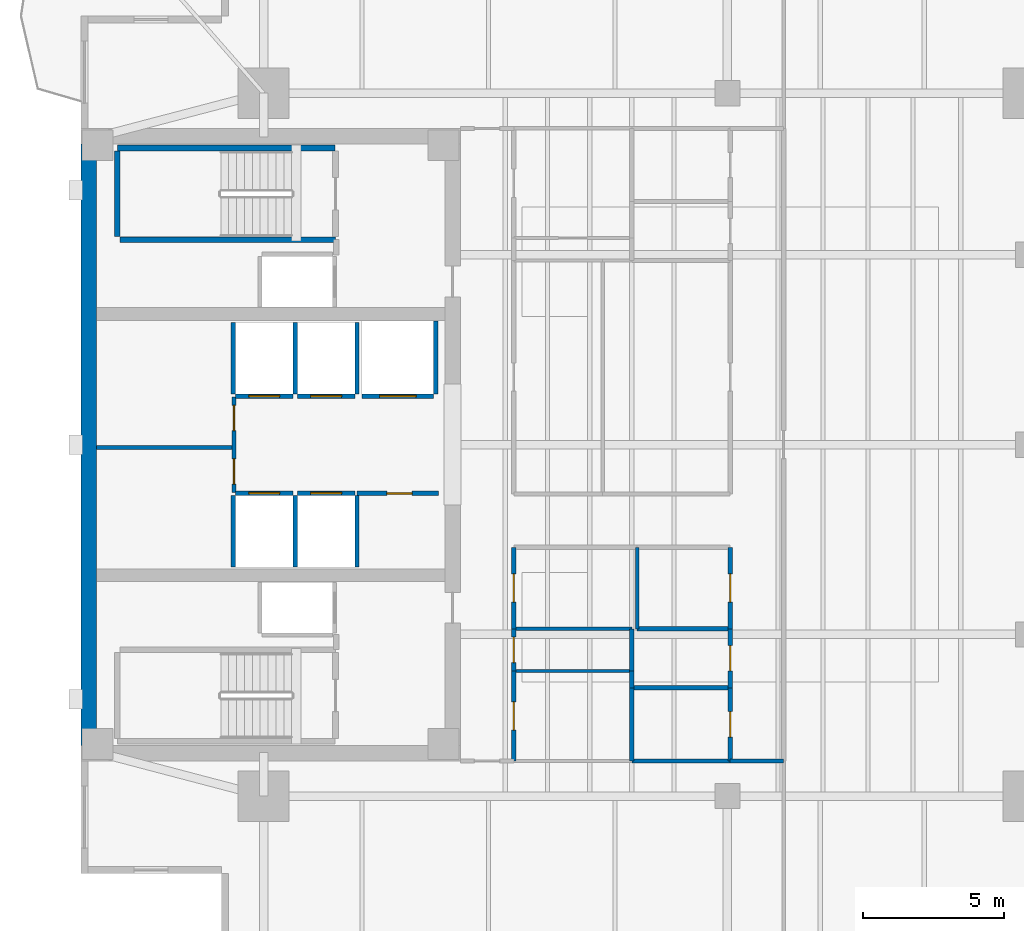
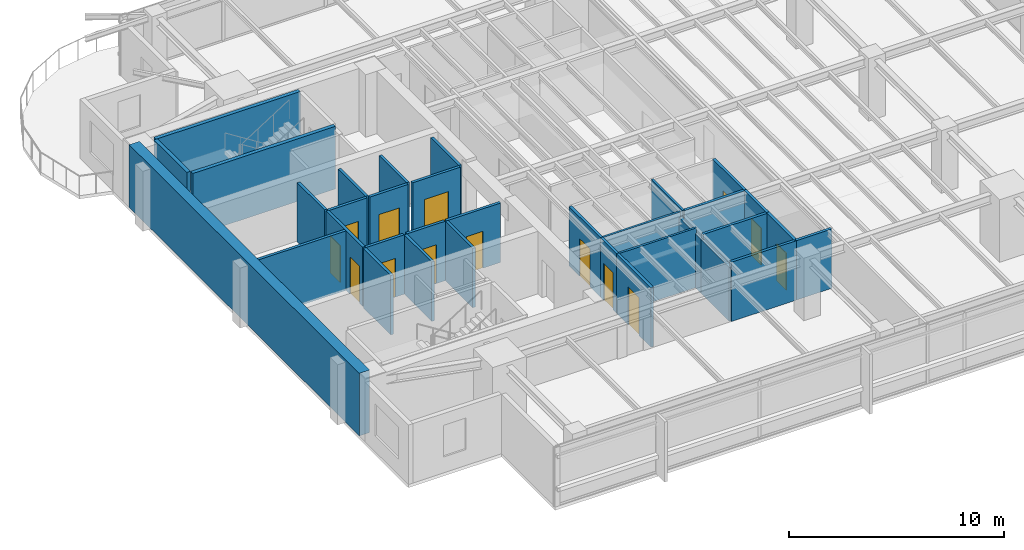
# One storey, part 8 of 14: 35 walls, 14 doors, 14 openings.
"""IFC4 building model written with IfcOpenShell, lengths in metres."""

from ifc_helpers import new_model, si_unit, direction, frame, frame_2d, origin, place, context, subcontext, project, spatial, rectangle, extrude, material, layer, layer_set, type_object, element, fill, save


model = new_model("IFC4")

# Units and contexts
model_context = context("Model", 3, precision=1e-05, world=origin(), true_north=direction((0.0, 1.0)))
body_context = subcontext(model_context, "Body", "Model", "MODEL_VIEW")
ifc_project = project(units=[si_unit("LENGTHUNIT", "METRE"), si_unit("AREAUNIT", "SQUARE_METRE"), si_unit("VOLUMEUNIT", "CUBIC_METRE"), si_unit("PLANEANGLEUNIT", "RADIAN"), si_unit("MASSUNIT", "GRAM", prefix="KILO")], contexts=[model_context])

# Site, building, storey
site_placement = place(None, origin())
site = spatial("IfcSite", under=ifc_project, at=site_placement, CompositionType="ELEMENT")
building_placement = place(site_placement, origin())
building = spatial("IfcBuilding", under=site, at=building_placement, Name="Kinhvarn Gate Tower", CompositionType="ELEMENT")
storey_placement = place(building_placement, frame((0.0, 0.0, 195.14990234375)))
storey = spatial("IfcBuildingStorey", under=building, at=storey_placement, Name="L51", CompositionType="ELEMENT", Elevation=195.14990234375)

# Walls
ifc_material_1 = material(Name="Concrete C60/75", Category="concrete")
ifc_layer_1 = layer(ifc_material_1, 0.550048828125)
ifc_layer_set_1 = layer_set([ifc_layer_1], Name="Concrete C60/75")
wall_type_1 = type_object("IfcWallType", Name="WL-COREX-550", PredefinedType="SHEAR", material=ifc_layer_set_1)
wall_1_placement = place(storey_placement, frame((4.77490234375, 14.550048828125, 0.0), z_axis=(0.0, 0.0, 1.0), x_axis=(0.0, 1.0, 0.0)))
element("IfcWall", 1, at=wall_1_placement, inside=storey, type_object=wall_type_1, Name="Core West Shear Wall L51 550 mm", PredefinedType="SHEAR", context=body_context, shape_type="SweptSolid", body=[
    extrude(rectangle(XDim=21.39990234375, YDim=0.550048828125, at=frame_2d((10.699951171875, 0.0))), origin(), (0.0, 0.0, 1.0), 3.550048828125),
])
ifc_material_2 = material(Name="Gypsum acoustic partition board")
ifc_layer_2 = layer(ifc_material_2, 0.14990234375)
ifc_layer_set_2 = layer_set([ifc_layer_2], Name="Gypsum acoustic partition board")
wall_type_2 = type_object("IfcWallType", Name="WL-PLM-150", PredefinedType="PLUMBINGWALL", material=ifc_layer_set_2)
wall_2_placement = place(storey_placement, frame((24.10009765625, 16.60009765625, 0.0), z_axis=(0.0, 0.0, 1.0), x_axis=(1.0, 0.0, 0.0)))
element("IfcWall", 2, at=wall_2_placement, inside=storey, type_object=wall_type_2, Name="Interior Partition PLW-150 (L51)", PredefinedType="PLUMBINGWALL", context=body_context, shape_type="SweptSolid", body=[
    extrude(rectangle(XDim=3.5, YDim=0.14990234375, at=frame_2d((1.75, 0.0))), origin(), (0.0, 0.0, 1.0), 3.3701171875),
])
wall_3_placement = place(storey_placement, frame((24.10009765625, 14.0, 0.0), z_axis=(0.0, 0.0, 1.0), x_axis=(0.0, 1.0, 0.0)))
element("IfcWall", 3, at=wall_3_placement, inside=storey, type_object=wall_type_2, Name="Interior Partition PLW-150 (L51)", PredefinedType="PLUMBINGWALL", context=body_context, shape_type="SweptSolid", body=[
    extrude(rectangle(XDim=2.60009765625, YDim=0.14990234375, at=frame_2d((1.300048828125, 0.0))), origin(), (0.0, 0.0, 1.0), 3.070068359375),
])
wall_4_placement = place(storey_placement, frame((24.10009765625, 14.0, 0.0), z_axis=(0.0, 0.0, 1.0), x_axis=(1.0, 0.0, 0.0)))
element("IfcWall", 4, at=wall_4_placement, inside=storey, type_object=wall_type_2, Name="Interior Partition PLW-150 (L51)", PredefinedType="PLUMBINGWALL", context=body_context, shape_type="SweptSolid", body=[
    extrude(rectangle(XDim=3.5, YDim=0.14990234375, at=frame_2d((1.75, 0.0))), origin(), (0.0, 0.0, 1.0), 3.3701171875),
])
wall_5_placement = place(storey_placement, frame((24.10009765625, 16.60009765625, 0.0), z_axis=(0.0, 0.0, 1.0), x_axis=(0.0, 1.0, 0.0)))
element("IfcWall", 5, at=wall_5_placement, inside=storey, type_object=wall_type_2, Name="Interior Partition PLW-150 (L51)", PredefinedType="PLUMBINGWALL", context=body_context, shape_type="SweptSolid", body=[
    extrude(rectangle(XDim=0.599853515625, YDim=0.14990234375, at=frame_2d((0.2998046875, 0.0))), origin(), (0.0, 0.0, 1.0), 3.070068359375),
])
wall_6_placement = place(storey_placement, frame((24.10009765625, 17.199951171875, 0.0), z_axis=(0.0, 0.0, 1.0), x_axis=(0.0, 1.0, 0.0)))
element("IfcWall", 6, at=wall_6_placement, inside=storey, type_object=wall_type_2, Name="Interior Partition PLW-150 (L51)", PredefinedType="PLUMBINGWALL", context=body_context, shape_type="SweptSolid", body=[
    extrude(rectangle(XDim=1.5, YDim=0.14990234375, at=frame_2d((0.75, 0.0))), origin(), (0.0, 0.0, 1.0), 3.070068359375),
])
wall_7_placement = place(storey_placement, frame((24.2900390625, 18.699951171875, 0.0), z_axis=(0.0, 0.0, 1.0), x_axis=(1.0, 0.0, 0.0)))
element("IfcWall", 7, at=wall_7_placement, inside=storey, type_object=wall_type_2, Name="Interior Partition PLW-150 (L51)", PredefinedType="PLUMBINGWALL", context=body_context, shape_type="SweptSolid", body=[
    extrude(rectangle(XDim=3.31005859375, YDim=0.14990234375, at=frame_2d((1.655029296875, 0.0))), origin(), (0.0, 0.0, 1.0), 3.3701171875),
])

# Wall, opening, door
ifc_layer_3 = layer(ifc_material_2, 0.14990234375)
ifc_layer_set_3 = layer_set([ifc_layer_3], Name="Gypsum acoustic partition board")
wall_type_3 = type_object("IfcWallType", Name="WL-PLM-150F", PredefinedType="PLUMBINGWALL", material=ifc_layer_set_3)
wall_8_placement = place(storey_placement, frame((27.60009765625, 14.0, 0.0), z_axis=(0.0, 0.0, 1.0), x_axis=(0.0, 1.0, 0.0)))
wall_8 = element("IfcWall", 8, at=wall_8_placement, inside=storey, type_object=wall_type_3, Name="Interior Partition PLW-150F (L51)", PredefinedType="PLUMBINGWALL", context=body_context, shape_type="SweptSolid", body=[
    extrude(rectangle(XDim=2.60009765625, YDim=0.14990234375, at=frame_2d((1.300048828125, 0.0))), origin(), (0.0, 0.0, 1.0), 3.3701171875),
])
opening_1_placement = place(wall_8_placement, frame((0.85009765625, 0.0, 0.0)))
opening_1 = element("IfcOpeningElement", 9, at=opening_1_placement, cuts=wall_8, Name="Opening FD-04", PredefinedType="OPENING", context=body_context, shape_type="SweptSolid", body=[
    extrude(rectangle(XDim=0.89990234375, YDim=2.10009765625, at=frame_2d((0.449951171875, 1.050048828125))), frame((0.0, 0.0849609375, 0.0), z_axis=(0.0, -1.0, 0.0), x_axis=(1.0, 0.0, 0.0)), (0.0, 0.0, 1.0), 0.169921875),
])
ifc_material_3 = material(Name="Anodised aluminium AW-6063", Category="aluminium")
door_type_1 = type_object("IfcDoorType", Name="DR-FD-900", OperationType="NOTDEFINED", PredefinedType="DOOR", material=ifc_material_3)
door_1_placement = place(opening_1_placement, origin())
door_1 = element("IfcDoor", 10, at=door_1_placement, inside=storey, type_object=door_type_1, Name="Rated Riser & Service Closet Fire Door 900x2100 mm (L51)", OperationType="SINGLE_SWING_LEFT", OverallHeight=2.10009765625, OverallWidth=0.89990234375, PredefinedType="DOOR", context=body_context, shape_type="SweptSolid", body=[
    extrude(rectangle(XDim=0.89990234375, YDim=2.10009765625, at=frame_2d((0.449951171875, 1.050048828125))), frame((0.0, 0.02490234375, 0.0), z_axis=(0.0, -1.0, 0.0), x_axis=(1.0, 0.0, 0.0)), (0.0, 0.0, 1.0), 0.050048828125),
])
fill(opening_1, door_1)

wall_9_placement = place(storey_placement, frame((27.60009765625, 16.60009765625, 0.0), z_axis=(0.0, 0.0, 1.0), x_axis=(0.0, 1.0, 0.0)))
wall_9 = element("IfcWall", 11, at=wall_9_placement, inside=storey, type_object=wall_type_3, Name="Interior Partition PLW-150F (L51)", PredefinedType="PLUMBINGWALL", context=body_context, shape_type="SweptSolid", body=[
    extrude(rectangle(XDim=2.099853515625, YDim=0.14990234375, at=frame_2d((1.0498046875, 0.0))), origin(), (0.0, 0.0, 1.0), 3.3701171875),
])
opening_2_placement = place(wall_9_placement, frame((0.60009765625, 0.0, 0.0)))
opening_2 = element("IfcOpeningElement", 12, at=opening_2_placement, cuts=wall_9, Name="Opening FD-04", PredefinedType="OPENING", context=body_context, shape_type="SweptSolid", body=[
    extrude(rectangle(XDim=0.89990234375, YDim=2.10009765625, at=frame_2d((0.449951171875, 1.050048828125))), frame((0.0, 0.0849609375, 0.0), z_axis=(0.0, -1.0, 0.0), x_axis=(1.0, 0.0, 0.0)), (0.0, 0.0, 1.0), 0.169921875),
])
door_2_placement = place(opening_2_placement, origin())
door_2 = element("IfcDoor", 13, at=door_2_placement, inside=storey, type_object=door_type_1, Name="Rated Riser & Service Closet Fire Door 900x2100 mm (L51)", OperationType="SINGLE_SWING_LEFT", OverallHeight=2.10009765625, OverallWidth=0.89990234375, PredefinedType="DOOR", context=body_context, shape_type="SweptSolid", body=[
    extrude(rectangle(XDim=0.89990234375, YDim=2.10009765625, at=frame_2d((0.449951171875, 1.050048828125))), frame((0.0, 0.02490234375, 0.0), z_axis=(0.0, -1.0, 0.0), x_axis=(1.0, 0.0, 0.0)), (0.0, 0.0, 1.0), 0.050048828125),
])
fill(opening_2, door_2)

# Walls
ifc_layer_4 = layer(ifc_material_2, 0.1201171875)
ifc_layer_set_4 = layer_set([ifc_layer_4], Name="Gypsum acoustic partition board")
wall_type_4 = type_object("IfcWallType", Name="WL-PRT-120", PredefinedType="PARTITIONING", material=ifc_layer_set_4)
for number, where, z_axis, x_axis, name in (
    (14, (19.89990234375, 17.199951171875, 0.0), (0.0, 0.0, 1.0), (1.0, 0.0, 0.0), "Interior Partition PW-120 (L51)"),
    (15, (19.89990234375, 18.699951171875, 0.0), (0.0, 0.0, 1.0), (1.0, 0.0, 0.0), "Interior Partition PW-120 (L51)"),
):
    element("IfcWall", number, at=place(storey_placement, frame(where, z_axis=z_axis, x_axis=x_axis)), inside=storey, type_object=wall_type_4, Name=name, PredefinedType="PARTITIONING", context=body_context, shape_type="SweptSolid", body=[
        extrude(rectangle(XDim=4.2001953125, YDim=0.1201171875, at=frame_2d((2.10009765625, 0.0))), origin(), (0.0, 0.0, 1.0), 3.3701171875),
    ])
wall_10_placement = place(storey_placement, frame((24.2900390625, 18.699951171875, 0.0), z_axis=(0.0, 0.0, 1.0), x_axis=(0.0, 1.0, 0.0)))
element("IfcWall", 16, at=wall_10_placement, inside=storey, type_object=wall_type_4, Name="Interior Partition PW-120 (L51)", PredefinedType="PARTITIONING", context=body_context, shape_type="SweptSolid", body=[
    extrude(rectangle(XDim=2.900146484375, YDim=0.1201171875, at=frame_2d((1.4501953125, 0.0))), origin(), (0.0, 0.0, 1.0), 3.3701171875),
])
ifc_layer_5 = layer(ifc_material_2, 0.14990234375)
ifc_layer_set_5 = layer_set([ifc_layer_5], Name="Gypsum acoustic partition board")
wall_type_5 = type_object("IfcWallType", Name="WL-PRT-150F", PredefinedType="PARTITIONING", material=ifc_layer_set_5)
wall_11_placement = place(storey_placement, frame((5.050048828125, 25.14990234375, 0.0), z_axis=(0.0, 0.0, 1.0), x_axis=(1.0, 0.0, 0.0)))
element("IfcWall", 17, at=wall_11_placement, inside=storey, type_object=wall_type_5, Name="Interior Partition PW-150F (L51)", PredefinedType="PARTITIONING", context=body_context, shape_type="SweptSolid", body=[
    extrude(rectangle(XDim=4.89990234375, YDim=0.14990234375, at=frame_2d((2.449951171875, 0.0))), origin(), (0.0, 0.0, 1.0), 3.3701171875),
])

# Wall, openings, doors
wall_12_placement = place(storey_placement, frame((9.949951171875, 23.550048828125, 0.0), z_axis=(0.0, 0.0, 1.0), x_axis=(0.0, 1.0, 0.0)))
wall_12 = element("IfcWall", 18, at=wall_12_placement, inside=storey, type_object=wall_type_5, Name="Interior Partition PW-150F (L51)", PredefinedType="PARTITIONING", context=body_context, shape_type="SweptSolid", body=[
    extrude(rectangle(XDim=3.39990234375, YDim=0.14990234375, at=frame_2d((1.699951171875, 0.0))), origin(), (0.0, 0.0, 1.0), 3.3701171875),
])
opening_3_placement = place(wall_12_placement, frame((0.298095703125, 0.0, 0.0)))
opening_3 = element("IfcOpeningElement", 19, at=opening_3_placement, cuts=wall_12, Name="Opening FD-04", PredefinedType="OPENING", context=body_context, shape_type="SweptSolid", body=[
    extrude(rectangle(XDim=0.89990234375, YDim=2.10009765625, at=frame_2d((0.449951171875, 1.050048828125))), frame((0.0, 0.0849609375, 0.0), z_axis=(0.0, -1.0, 0.0), x_axis=(1.0, 0.0, 0.0)), (0.0, 0.0, 1.0), 0.169921875),
])
opening_4_placement = place(wall_12_placement, frame((2.201904296875, 0.0, 0.0)))
opening_4 = element("IfcOpeningElement", 20, at=opening_4_placement, cuts=wall_12, Name="Opening FD-04", PredefinedType="OPENING", context=body_context, shape_type="SweptSolid", body=[
    extrude(rectangle(XDim=0.89990234375, YDim=2.10009765625, at=frame_2d((0.449951171875, 1.050048828125))), frame((0.0, 0.0849609375, 0.0), z_axis=(0.0, -1.0, 0.0), x_axis=(1.0, 0.0, 0.0)), (0.0, 0.0, 1.0), 0.169921875),
])
door_3_placement = place(opening_3_placement, origin())
door_3 = element("IfcDoor", 21, at=door_3_placement, inside=storey, type_object=door_type_1, Name="Rated Riser & Service Closet Fire Door 900x2100 mm (L51)", OperationType="SINGLE_SWING_LEFT", OverallHeight=2.10009765625, OverallWidth=0.89990234375, PredefinedType="DOOR", context=body_context, shape_type="SweptSolid", body=[
    extrude(rectangle(XDim=0.89990234375, YDim=2.10009765625, at=frame_2d((0.449951171875, 1.050048828125))), frame((0.0, 0.02490234375, 0.0), z_axis=(0.0, -1.0, 0.0), x_axis=(1.0, 0.0, 0.0)), (0.0, 0.0, 1.0), 0.050048828125),
])
fill(opening_3, door_3)
door_4_placement = place(opening_4_placement, origin())
door_4 = element("IfcDoor", 22, at=door_4_placement, inside=storey, type_object=door_type_1, Name="Rated Riser & Service Closet Fire Door 900x2100 mm (L51)", OperationType="SINGLE_SWING_RIGHT", OverallHeight=2.10009765625, OverallWidth=0.89990234375, PredefinedType="DOOR", context=body_context, shape_type="SweptSolid", body=[
    extrude(rectangle(XDim=0.89990234375, YDim=2.10009765625, at=frame_2d((0.449951171875, 1.050048828125))), frame((0.0, 0.02490234375, 0.0), z_axis=(0.0, -1.0, 0.0), x_axis=(1.0, 0.0, 0.0)), (0.0, 0.0, 1.0), 0.050048828125),
])
fill(opening_4, door_4)

# Wall, opening, door
wall_13_placement = place(storey_placement, frame((14.330078125, 23.52001953125, 0.0), z_axis=(0.0, 0.0, 1.0), x_axis=(1.0, 0.0, 0.0)))
wall_13 = element("IfcWall", 23, at=wall_13_placement, inside=storey, type_object=wall_type_5, Name="Interior Partition PW-150F (L51)", PredefinedType="PARTITIONING", context=body_context, shape_type="SweptSolid", body=[
    extrude(rectangle(XDim=2.889892578125, YDim=0.14990234375, at=frame_2d((1.44482421875, 0.0))), origin(), (0.0, 0.0, 1.0), 3.3701171875),
])
opening_5_placement = place(wall_13_placement, frame((1.052734375, 0.0, 0.0)))
opening_5 = element("IfcOpeningElement", 24, at=opening_5_placement, cuts=wall_13, Name="Opening FD-04", PredefinedType="OPENING", context=body_context, shape_type="SweptSolid", body=[
    extrude(rectangle(XDim=0.89990234375, YDim=2.10009765625, at=frame_2d((0.449951171875, 1.050048828125))), frame((0.0, 0.0849609375, 0.0), z_axis=(0.0, -1.0, 0.0), x_axis=(1.0, 0.0, 0.0)), (0.0, 0.0, 1.0), 0.169921875),
])
door_5_placement = place(opening_5_placement, origin())
door_5 = element("IfcDoor", 25, at=door_5_placement, inside=storey, type_object=door_type_1, Name="Rated Riser & Service Closet Fire Door 900x2100 mm (L51)", OperationType="SINGLE_SWING_LEFT", OverallHeight=2.10009765625, OverallWidth=0.89990234375, PredefinedType="DOOR", context=body_context, shape_type="SweptSolid", body=[
    extrude(rectangle(XDim=0.89990234375, YDim=2.10009765625, at=frame_2d((0.449951171875, 1.050048828125))), frame((0.0, 0.02490234375, 0.0), z_axis=(0.0, -1.0, 0.0), x_axis=(1.0, 0.0, 0.0)), (0.0, 0.0, 1.0), 0.050048828125),
])
fill(opening_5, door_5)

wall_14_placement = place(storey_placement, frame((19.89990234375, 14.0, 0.0), z_axis=(0.0, 0.0, 1.0), x_axis=(0.0, 1.0, 0.0)))
wall_14 = element("IfcWall", 26, at=wall_14_placement, inside=storey, type_object=wall_type_5, Name="Interior Partition PW-150F (L51)", PredefinedType="PARTITIONING", context=body_context, shape_type="SweptSolid", body=[
    extrude(rectangle(XDim=3.199951171875, YDim=0.14990234375, at=frame_2d((1.60009765625, 0.0))), origin(), (0.0, 0.0, 1.0), 3.3701171875),
])
opening_6_placement = place(wall_14_placement, frame((1.10009765625, 0.0, 0.0)))
opening_6 = element("IfcOpeningElement", 27, at=opening_6_placement, cuts=wall_14, Name="Opening ID-02", PredefinedType="OPENING", context=body_context, shape_type="SweptSolid", body=[
    extrude(rectangle(XDim=1.0, YDim=2.14990234375, at=frame_2d((0.5, 1.074951171875))), frame((0.0, 0.0849609375, 0.0), z_axis=(0.0, -1.0, 0.0), x_axis=(1.0, 0.0, 0.0)), (0.0, 0.0, 1.0), 0.169921875),
])
door_type_2 = type_object("IfcDoorType", Name="DR-INT-1000", OperationType="NOTDEFINED", PredefinedType="DOOR", material=ifc_material_3)
door_6_placement = place(opening_6_placement, origin())
door_6 = element("IfcDoor", 28, at=door_6_placement, inside=storey, type_object=door_type_2, Name="Standard Office & Meeting Room Door 1000x2150 mm (L51)", OperationType="SINGLE_SWING_RIGHT", OverallHeight=2.14990234375, OverallWidth=1.0, PredefinedType="DOOR", context=body_context, shape_type="SweptSolid", body=[
    extrude(rectangle(XDim=1.0, YDim=2.14990234375, at=frame_2d((0.5, 1.074951171875))), frame((0.0, 0.02490234375, 0.0), z_axis=(0.0, -1.0, 0.0), x_axis=(1.0, 0.0, 0.0)), (0.0, 0.0, 1.0), 0.050048828125),
])
fill(opening_6, door_6)

wall_15_placement = place(storey_placement, frame((19.89990234375, 17.199951171875, 0.0), z_axis=(0.0, 0.0, 1.0), x_axis=(0.0, 1.0, 0.0)))
wall_15 = element("IfcWall", 29, at=wall_15_placement, inside=storey, type_object=wall_type_5, Name="Interior Partition PW-150F (L51)", PredefinedType="PARTITIONING", context=body_context, shape_type="SweptSolid", body=[
    extrude(rectangle(XDim=1.5, YDim=0.14990234375, at=frame_2d((0.75, 0.0))), origin(), (0.0, 0.0, 1.0), 3.3701171875),
])
opening_7_placement = place(wall_15_placement, frame((0.300048828125, 0.0, 0.0)))
opening_7 = element("IfcOpeningElement", 30, at=opening_7_placement, cuts=wall_15, Name="Opening ID-03", PredefinedType="OPENING", context=body_context, shape_type="SweptSolid", body=[
    extrude(rectangle(XDim=0.89990234375, YDim=2.10009765625, at=frame_2d((0.449951171875, 1.050048828125))), frame((0.0, 0.0849609375, 0.0), z_axis=(0.0, -1.0, 0.0), x_axis=(1.0, 0.0, 0.0)), (0.0, 0.0, 1.0), 0.169921875),
])
door_type_3 = type_object("IfcDoorType", Name="DR-INT-900", OperationType="NOTDEFINED", PredefinedType="DOOR", material=ifc_material_3)
door_7_placement = place(opening_7_placement, origin())
door_7 = element("IfcDoor", 31, at=door_7_placement, inside=storey, type_object=door_type_3, Name="Cellular Office & Restroom Door 900x2100 mm (L51)", OperationType="SINGLE_SWING_LEFT", OverallHeight=2.10009765625, OverallWidth=0.89990234375, PredefinedType="DOOR", context=body_context, shape_type="SweptSolid", body=[
    extrude(rectangle(XDim=0.89990234375, YDim=2.10009765625, at=frame_2d((0.449951171875, 1.050048828125))), frame((0.0, 0.02490234375, 0.0), z_axis=(0.0, -1.0, 0.0), x_axis=(1.0, 0.0, 0.0)), (0.0, 0.0, 1.0), 0.050048828125),
])
fill(opening_7, door_7)

wall_16_placement = place(storey_placement, frame((19.89990234375, 18.699951171875, 0.0), z_axis=(0.0, 0.0, 1.0), x_axis=(0.0, 1.0, 0.0)))
wall_16 = element("IfcWall", 32, at=wall_16_placement, inside=storey, type_object=wall_type_5, Name="Interior Partition PW-150F (L51)", PredefinedType="PARTITIONING", context=body_context, shape_type="SweptSolid", body=[
    extrude(rectangle(XDim=2.900146484375, YDim=0.14990234375, at=frame_2d((1.4501953125, 0.0))), origin(), (0.0, 0.0, 1.0), 3.3701171875),
])
opening_8_placement = place(wall_16_placement, frame((0.949951171875, 0.0, 0.0)))
opening_8 = element("IfcOpeningElement", 33, at=opening_8_placement, cuts=wall_16, Name="Opening ID-02", PredefinedType="OPENING", context=body_context, shape_type="SweptSolid", body=[
    extrude(rectangle(XDim=1.0, YDim=2.14990234375, at=frame_2d((0.5, 1.074951171875))), frame((0.0, 0.0849609375, 0.0), z_axis=(0.0, -1.0, 0.0), x_axis=(1.0, 0.0, 0.0)), (0.0, 0.0, 1.0), 0.169921875),
])
door_8_placement = place(opening_8_placement, origin())
door_8 = element("IfcDoor", 34, at=door_8_placement, inside=storey, type_object=door_type_2, Name="Standard Office & Meeting Room Door 1000x2150 mm (L51)", OperationType="SINGLE_SWING_LEFT", OverallHeight=2.14990234375, OverallWidth=1.0, PredefinedType="DOOR", context=body_context, shape_type="SweptSolid", body=[
    extrude(rectangle(XDim=1.0, YDim=2.14990234375, at=frame_2d((0.5, 1.074951171875))), frame((0.0, 0.02490234375, 0.0), z_axis=(0.0, -1.0, 0.0), x_axis=(1.0, 0.0, 0.0)), (0.0, 0.0, 1.0), 0.050048828125),
])
fill(opening_8, door_8)

wall_17_placement = place(storey_placement, frame((27.60009765625, 18.699951171875, 0.0), z_axis=(0.0, 0.0, 1.0), x_axis=(0.0, 1.0, 0.0)))
wall_17 = element("IfcWall", 35, at=wall_17_placement, inside=storey, type_object=wall_type_5, Name="Interior Partition PW-150F (L51)", PredefinedType="PARTITIONING", context=body_context, shape_type="SweptSolid", body=[
    extrude(rectangle(XDim=2.900146484375, YDim=0.14990234375, at=frame_2d((1.4501953125, 0.0))), origin(), (0.0, 0.0, 1.0), 3.3701171875),
])
opening_9_placement = place(wall_17_placement, frame((0.949951171875, 0.0, 0.0)))
opening_9 = element("IfcOpeningElement", 36, at=opening_9_placement, cuts=wall_17, Name="Opening ID-02", PredefinedType="OPENING", context=body_context, shape_type="SweptSolid", body=[
    extrude(rectangle(XDim=1.0, YDim=2.14990234375, at=frame_2d((0.5, 1.074951171875))), frame((0.0, 0.0849609375, 0.0), z_axis=(0.0, -1.0, 0.0), x_axis=(1.0, 0.0, 0.0)), (0.0, 0.0, 1.0), 0.169921875),
])
door_9_placement = place(opening_9_placement, origin())
door_9 = element("IfcDoor", 37, at=door_9_placement, inside=storey, type_object=door_type_2, Name="Standard Office & Meeting Room Door 1000x2150 mm (L51)", OperationType="SINGLE_SWING_LEFT", OverallHeight=2.14990234375, OverallWidth=1.0, PredefinedType="DOOR", context=body_context, shape_type="SweptSolid", body=[
    extrude(rectangle(XDim=1.0, YDim=2.14990234375, at=frame_2d((0.5, 1.074951171875))), frame((0.0, 0.02490234375, 0.0), z_axis=(0.0, -1.0, 0.0), x_axis=(1.0, 0.0, 0.0)), (0.0, 0.0, 1.0), 0.050048828125),
])
fill(opening_9, door_9)

# Wall
wall_18_placement = place(storey_placement, frame((27.60009765625, 14.0, 0.0), z_axis=(0.0, 0.0, 1.0), x_axis=(1.0, 0.0, 0.0)))
element("IfcWall", 38, at=wall_18_placement, inside=storey, type_object=wall_type_5, Name="Interior Partition PW-150F (L51)", PredefinedType="PARTITIONING", context=body_context, shape_type="SweptSolid", body=[
    extrude(rectangle(XDim=1.89990234375, YDim=0.14990234375, at=frame_2d((0.949951171875, 0.0))), origin(), (0.0, 0.0, 1.0), 3.3701171875),
])

# Wall, opening, door
ifc_layer_6 = layer(ifc_material_2, 0.14990234375)
ifc_layer_set_6 = layer_set([ifc_layer_6], Name="Gypsum acoustic partition board")
wall_type_6 = type_object("IfcWallType", Name="WL-SHF-150", PredefinedType="PARTITIONING", material=ifc_layer_set_6)
wall_19_placement = place(storey_placement, frame((10.0, 23.52490234375, 0.0), z_axis=(0.0, 0.0, 1.0), x_axis=(1.0, 0.0, 0.0)))
wall_19 = element("IfcWall", 39, at=wall_19_placement, inside=storey, type_object=wall_type_6, Name="Elevator PH-09 Landing Wall (L51)", PredefinedType="PARTITIONING", context=body_context, shape_type="SweptSolid", body=[
    extrude(rectangle(XDim=2.050048828125, YDim=0.14990234375, at=frame_2d((1.02490234375, 0.0))), origin(), (0.0, 0.0, 1.0), 3.3701171875),
])
opening_10_placement = place(wall_19_placement, frame((0.47509765625, 0.0, 0.0)))
opening_10 = element("IfcOpeningElement", 40, at=opening_10_placement, cuts=wall_19, Name="Opening LD-01", PredefinedType="OPENING", context=body_context, shape_type="SweptSolid", body=[
    extrude(rectangle(XDim=1.10009765625, YDim=2.199951171875, at=frame_2d((0.550048828125, 1.10009765625))), frame((0.0, 0.0849609375, 0.0), z_axis=(0.0, -1.0, 0.0), x_axis=(1.0, 0.0, 0.0)), (0.0, 0.0, 1.0), 0.169921875),
])
door_type_4 = type_object("IfcDoorType", Name="DR-LND-PAS", OperationType="NOTDEFINED", PredefinedType="DOOR", material=ifc_material_3)
door_10_placement = place(opening_10_placement, origin())
door_10 = element("IfcDoor", 41, at=door_10_placement, inside=storey, type_object=door_type_4, Name="Elevator PH-09 Sliding Landing Door (L51)", OperationType="DOUBLE_DOOR_SLIDING", OverallHeight=2.199951171875, OverallWidth=1.10009765625, PredefinedType="DOOR", context=body_context, shape_type="SweptSolid", body=[
    extrude(rectangle(XDim=1.10009765625, YDim=2.199951171875, at=frame_2d((0.550048828125, 1.10009765625))), frame((0.0, 0.02490234375, 0.0), z_axis=(0.0, -1.0, 0.0), x_axis=(1.0, 0.0, 0.0)), (0.0, 0.0, 1.0), 0.050048828125),
])
fill(opening_10, door_10)

# Walls
for number, where, z_axis, x_axis, name in (
    (42, (9.925048828125, 20.89990234375, 0.0), (0.0, 0.0, 1.0), (0.0, 1.0, 0.0), "Elevator PH-09 Hoistway Wall W (L51)"),
    (43, (12.125, 20.89990234375, 0.0), (0.0, 0.0, 1.0), (0.0, 1.0, 0.0), "Elevator PH-09 Hoistway Wall E (L51)"),
):
    element("IfcWall", number, at=place(storey_placement, frame(where, z_axis=z_axis, x_axis=x_axis)), inside=storey, type_object=wall_type_6, Name=name, PredefinedType="PARTITIONING", context=body_context, shape_type="SweptSolid", body=[
        extrude(rectangle(XDim=2.550048828125, YDim=0.14990234375, at=frame_2d((1.27490234375, 0.0))), origin(), (0.0, 0.0, 1.0), 3.3701171875),
    ])

# Wall, opening, door
wall_20_placement = place(storey_placement, frame((12.199951171875, 23.52490234375, 0.0), z_axis=(0.0, 0.0, 1.0), x_axis=(1.0, 0.0, 0.0)))
wall_20 = element("IfcWall", 44, at=wall_20_placement, inside=storey, type_object=wall_type_6, Name="Elevator PH-10 Landing Wall (L51)", PredefinedType="PARTITIONING", context=body_context, shape_type="SweptSolid", body=[
    extrude(rectangle(XDim=2.050048828125, YDim=0.14990234375, at=frame_2d((1.02490234375, 0.0))), origin(), (0.0, 0.0, 1.0), 3.3701171875),
])
opening_11_placement = place(wall_20_placement, frame((0.47509765625, 0.0, 0.0)))
opening_11 = element("IfcOpeningElement", 45, at=opening_11_placement, cuts=wall_20, Name="Opening LD-01", PredefinedType="OPENING", context=body_context, shape_type="SweptSolid", body=[
    extrude(rectangle(XDim=1.10009765625, YDim=2.199951171875, at=frame_2d((0.550048828125, 1.10009765625))), frame((0.0, 0.0849609375, 0.0), z_axis=(0.0, -1.0, 0.0), x_axis=(1.0, 0.0, 0.0)), (0.0, 0.0, 1.0), 0.169921875),
])
door_11_placement = place(opening_11_placement, origin())
door_11 = element("IfcDoor", 46, at=door_11_placement, inside=storey, type_object=door_type_4, Name="Elevator PH-10 Sliding Landing Door (L51)", OperationType="DOUBLE_DOOR_SLIDING", OverallHeight=2.199951171875, OverallWidth=1.10009765625, PredefinedType="DOOR", context=body_context, shape_type="SweptSolid", body=[
    extrude(rectangle(XDim=1.10009765625, YDim=2.199951171875, at=frame_2d((0.550048828125, 1.10009765625))), frame((0.0, 0.02490234375, 0.0), z_axis=(0.0, -1.0, 0.0), x_axis=(1.0, 0.0, 0.0)), (0.0, 0.0, 1.0), 0.050048828125),
])
fill(opening_11, door_11)

# Wall
wall_21_placement = place(storey_placement, frame((14.324951171875, 20.89990234375, 0.0), z_axis=(0.0, 0.0, 1.0), x_axis=(0.0, 1.0, 0.0)))
element("IfcWall", 47, at=wall_21_placement, inside=storey, type_object=wall_type_6, Name="Elevator PH-10 Hoistway Wall E (L51)", PredefinedType="PARTITIONING", context=body_context, shape_type="SweptSolid", body=[
    extrude(rectangle(XDim=2.550048828125, YDim=0.14990234375, at=frame_2d((1.27490234375, 0.0))), origin(), (0.0, 0.0, 1.0), 3.3701171875),
])

# Wall, opening, door
wall_22_placement = place(storey_placement, frame((10.0, 26.97509765625, 0.0), z_axis=(0.0, 0.0, 1.0), x_axis=(1.0, 0.0, 0.0)))
wall_22 = element("IfcWall", 48, at=wall_22_placement, inside=storey, type_object=wall_type_6, Name="Elevator PH-11 Landing Wall (L51)", PredefinedType="PARTITIONING", context=body_context, shape_type="SweptSolid", body=[
    extrude(rectangle(XDim=2.050048828125, YDim=0.14990234375, at=frame_2d((1.02490234375, 0.0))), origin(), (0.0, 0.0, 1.0), 3.3701171875),
])
opening_12_placement = place(wall_22_placement, frame((0.47509765625, 0.0, 0.0)))
opening_12 = element("IfcOpeningElement", 49, at=opening_12_placement, cuts=wall_22, Name="Opening LD-01", PredefinedType="OPENING", context=body_context, shape_type="SweptSolid", body=[
    extrude(rectangle(XDim=1.10009765625, YDim=2.199951171875, at=frame_2d((0.550048828125, 1.10009765625))), frame((0.0, 0.0849609375, 0.0), z_axis=(0.0, -1.0, 0.0), x_axis=(1.0, 0.0, 0.0)), (0.0, 0.0, 1.0), 0.169921875),
])
door_12_placement = place(opening_12_placement, origin())
door_12 = element("IfcDoor", 50, at=door_12_placement, inside=storey, type_object=door_type_4, Name="Elevator PH-11 Sliding Landing Door (L51)", OperationType="DOUBLE_DOOR_SLIDING", OverallHeight=2.199951171875, OverallWidth=1.10009765625, PredefinedType="DOOR", context=body_context, shape_type="SweptSolid", body=[
    extrude(rectangle(XDim=1.10009765625, YDim=2.199951171875, at=frame_2d((0.550048828125, 1.10009765625))), frame((0.0, 0.02490234375, 0.0), z_axis=(0.0, -1.0, 0.0), x_axis=(1.0, 0.0, 0.0)), (0.0, 0.0, 1.0), 0.050048828125),
])
fill(opening_12, door_12)

# Walls
for number, where, z_axis, x_axis, name in (
    (51, (9.925048828125, 27.050048828125, 0.0), (0.0, 0.0, 1.0), (0.0, 1.0, 0.0), "Elevator PH-11 Hoistway Wall W (L51)"),
    (52, (12.125, 27.050048828125, 0.0), (0.0, 0.0, 1.0), (0.0, 1.0, 0.0), "Elevator PH-11 Hoistway Wall E (L51)"),
):
    element("IfcWall", number, at=place(storey_placement, frame(where, z_axis=z_axis, x_axis=x_axis)), inside=storey, type_object=wall_type_6, Name=name, PredefinedType="PARTITIONING", context=body_context, shape_type="SweptSolid", body=[
        extrude(rectangle(XDim=2.550048828125, YDim=0.14990234375, at=frame_2d((1.27490234375, 0.0))), origin(), (0.0, 0.0, 1.0), 3.3701171875),
    ])

# Wall, opening, door
wall_23_placement = place(storey_placement, frame((12.199951171875, 26.97509765625, 0.0), z_axis=(0.0, 0.0, 1.0), x_axis=(1.0, 0.0, 0.0)))
wall_23 = element("IfcWall", 53, at=wall_23_placement, inside=storey, type_object=wall_type_6, Name="Elevator PH-12 Landing Wall (L51)", PredefinedType="PARTITIONING", context=body_context, shape_type="SweptSolid", body=[
    extrude(rectangle(XDim=2.050048828125, YDim=0.14990234375, at=frame_2d((1.02490234375, 0.0))), origin(), (0.0, 0.0, 1.0), 3.3701171875),
])
opening_13_placement = place(wall_23_placement, frame((0.47509765625, 0.0, 0.0)))
opening_13 = element("IfcOpeningElement", 54, at=opening_13_placement, cuts=wall_23, Name="Opening LD-01", PredefinedType="OPENING", context=body_context, shape_type="SweptSolid", body=[
    extrude(rectangle(XDim=1.10009765625, YDim=2.199951171875, at=frame_2d((0.550048828125, 1.10009765625))), frame((0.0, 0.0849609375, 0.0), z_axis=(0.0, -1.0, 0.0), x_axis=(1.0, 0.0, 0.0)), (0.0, 0.0, 1.0), 0.169921875),
])
door_13_placement = place(opening_13_placement, origin())
door_13 = element("IfcDoor", 55, at=door_13_placement, inside=storey, type_object=door_type_4, Name="Elevator PH-12 Sliding Landing Door (L51)", OperationType="DOUBLE_DOOR_SLIDING", OverallHeight=2.199951171875, OverallWidth=1.10009765625, PredefinedType="DOOR", context=body_context, shape_type="SweptSolid", body=[
    extrude(rectangle(XDim=1.10009765625, YDim=2.199951171875, at=frame_2d((0.550048828125, 1.10009765625))), frame((0.0, 0.02490234375, 0.0), z_axis=(0.0, -1.0, 0.0), x_axis=(1.0, 0.0, 0.0)), (0.0, 0.0, 1.0), 0.050048828125),
])
fill(opening_13, door_13)

# Wall
wall_24_placement = place(storey_placement, frame((14.324951171875, 27.050048828125, 0.0), z_axis=(0.0, 0.0, 1.0), x_axis=(0.0, 1.0, 0.0)))
element("IfcWall", 56, at=wall_24_placement, inside=storey, type_object=wall_type_6, Name="Elevator PH-12 Hoistway Wall E (L51)", PredefinedType="PARTITIONING", context=body_context, shape_type="SweptSolid", body=[
    extrude(rectangle(XDim=2.550048828125, YDim=0.14990234375, at=frame_2d((1.27490234375, 0.0))), origin(), (0.0, 0.0, 1.0), 3.3701171875),
])

# Wall, opening, door
wall_25_placement = place(storey_placement, frame((14.5, 26.97509765625, 0.0), z_axis=(0.0, 0.0, 1.0), x_axis=(1.0, 0.0, 0.0)))
wall_25 = element("IfcWall", 57, at=wall_25_placement, inside=storey, type_object=wall_type_6, Name="Elevator SV-01 Landing Wall (L51)", PredefinedType="PARTITIONING", context=body_context, shape_type="SweptSolid", body=[
    extrude(rectangle(XDim=2.550048828125, YDim=0.14990234375, at=frame_2d((1.27490234375, 0.0))), origin(), (0.0, 0.0, 1.0), 3.3701171875),
])
opening_14_placement = place(wall_25_placement, frame((0.625, 0.0, 0.0)))
opening_14 = element("IfcOpeningElement", 58, at=opening_14_placement, cuts=wall_25, Name="Opening LD-02", PredefinedType="OPENING", context=body_context, shape_type="SweptSolid", body=[
    extrude(rectangle(XDim=1.300048828125, YDim=2.199951171875, at=frame_2d((0.64990234375, 1.10009765625))), frame((0.0, 0.0849609375, 0.0), z_axis=(0.0, -1.0, 0.0), x_axis=(1.0, 0.0, 0.0)), (0.0, 0.0, 1.0), 0.169921875),
])
door_type_5 = type_object("IfcDoorType", Name="DR-LND-SRV", OperationType="NOTDEFINED", PredefinedType="DOOR", material=ifc_material_3)
door_14_placement = place(opening_14_placement, origin())
door_14 = element("IfcDoor", 59, at=door_14_placement, inside=storey, type_object=door_type_5, Name="Elevator SV-01 Sliding Landing Door (L51)", OperationType="DOUBLE_DOOR_SLIDING", OverallHeight=2.199951171875, OverallWidth=1.300048828125, PredefinedType="DOOR", context=body_context, shape_type="SweptSolid", body=[
    extrude(rectangle(XDim=1.300048828125, YDim=2.199951171875, at=frame_2d((0.64990234375, 1.10009765625))), frame((0.0, 0.02490234375, 0.0), z_axis=(0.0, -1.0, 0.0), x_axis=(1.0, 0.0, 0.0)), (0.0, 0.0, 1.0), 0.050048828125),
])
fill(opening_14, door_14)

# Walls
wall_26_placement = place(storey_placement, frame((17.125, 27.050048828125, 0.0), z_axis=(0.0, 0.0, 1.0), x_axis=(0.0, 1.0, 0.0)))
element("IfcWall", 60, at=wall_26_placement, inside=storey, type_object=wall_type_6, Name="Elevator SV-01 Hoistway Wall E (L51)", PredefinedType="PARTITIONING", context=body_context, shape_type="SweptSolid", body=[
    extrude(rectangle(XDim=2.599853515625, YDim=0.14990234375, at=frame_2d((1.2998046875, 0.0))), origin(), (0.0, 0.0, 1.0), 3.3701171875),
])
ifc_material_4 = material(Name="Concrete C40/50", Category="concrete")
ifc_layer_7 = layer(ifc_material_4, 0.199951171875)
ifc_layer_set_7 = layer_set([ifc_layer_7], Name="Concrete C40/50")
wall_type_7 = type_object("IfcWallType", Name="WL-SHF-200", PredefinedType="SOLIDWALL", material=ifc_layer_set_7)
wall_27_placement = place(storey_placement, frame((5.800048828125, 35.800048828125, 0.0), z_axis=(0.0, 0.0, 1.0), x_axis=(1.0, 0.0, 0.0)))
element("IfcWall", 61, at=wall_27_placement, inside=storey, type_object=wall_type_7, Name="Stair ST2 North Shaft Wall (L51)", PredefinedType="SOLIDWALL", context=body_context, shape_type="SweptSolid", body=[
    extrude(rectangle(XDim=7.75, YDim=0.199951171875, at=frame_2d((3.875, 0.0))), origin(), (0.0, 0.0, 1.0), 3.550048828125),
])
wall_28_placement = place(storey_placement, frame((5.7900390625, 32.64990234375, 0.0), z_axis=(0.0, 0.0, 1.0), x_axis=(0.0, 1.0, 0.0)))
element("IfcWall", 62, at=wall_28_placement, inside=storey, type_object=wall_type_7, Name="Stair ST2 West Shaft Wall (L51)", PredefinedType="SOLIDWALL", context=body_context, shape_type="SweptSolid", body=[
    extrude(rectangle(XDim=3.050048828125, YDim=0.199951171875, at=frame_2d((1.52490234375, 0.0))), origin(), (0.0, 0.0, 1.0), 3.550048828125),
])
wall_29_placement = place(storey_placement, frame((5.89990234375, 32.5400390625, 0.0), z_axis=(0.0, 0.0, 1.0), x_axis=(1.0, 0.0, 0.0)))
element("IfcWall", 63, at=wall_29_placement, inside=storey, type_object=wall_type_7, Name="Stair ST2 South Shaft Wall (L51)", PredefinedType="SOLIDWALL", context=body_context, shape_type="SweptSolid", body=[
    extrude(rectangle(XDim=7.66015625, YDim=0.199951171875, at=frame_2d((3.830078125, 0.0))), origin(), (0.0, 0.0, 1.0), 3.550048828125),
])

save(model, "model.ifc")
